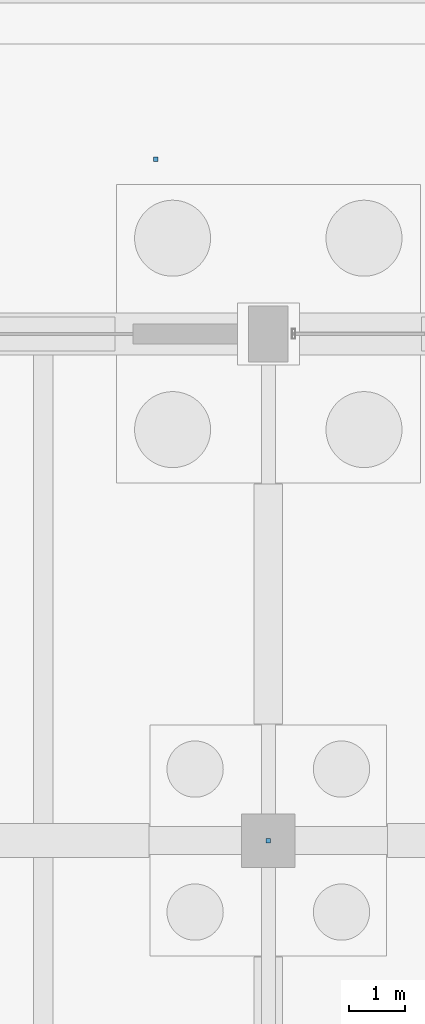
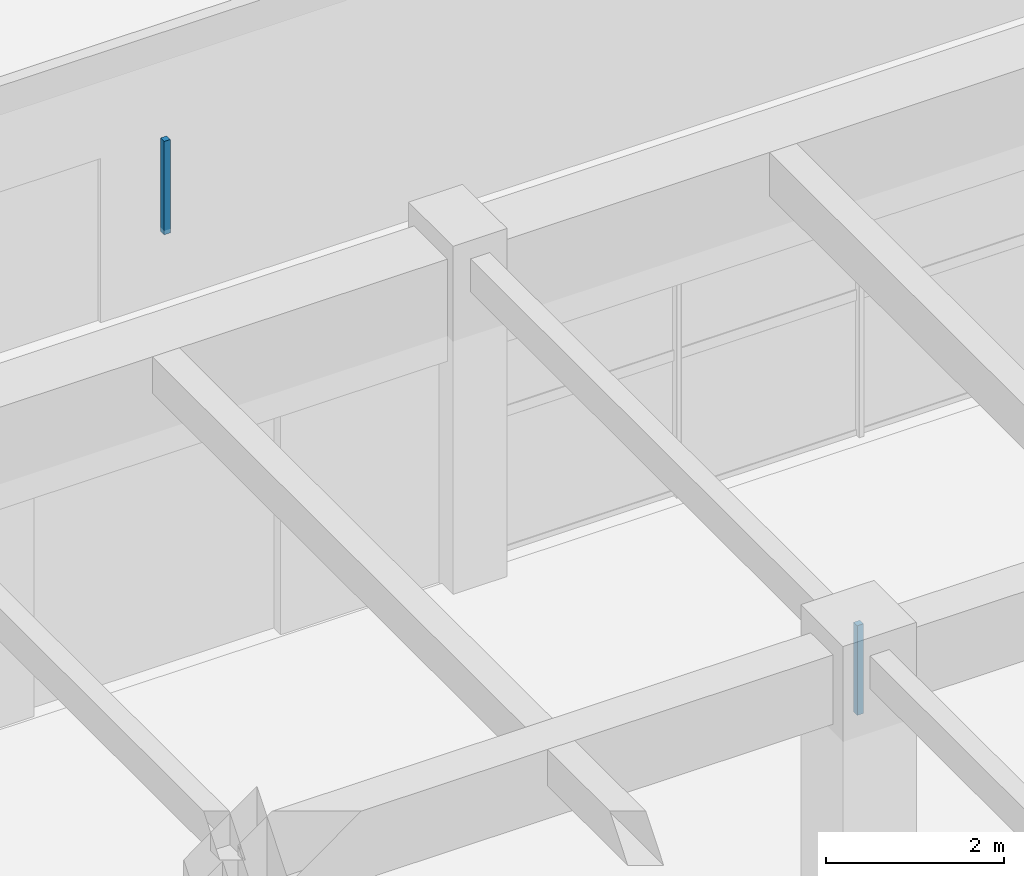
# One storey, part 124 of 147: 2 discrete accessories.
"""IFC4 building model written with IfcOpenShell, lengths in metres."""

from ifc_helpers import new_model, si_unit, direction, frame, origin, origin_2d, place, context, subcontext, project, spatial, rectangle, extrude, material, layer, layer_set, type_object, element, save


model = new_model("IFC4")

# Units and contexts
model_context = context("Model", 3, precision=1e-05, world=origin(), true_north=direction((0.0, 1.0)))
body_context = subcontext(model_context, "Body", "Model", "MODEL_VIEW")
ifc_project = project(units=[si_unit("LENGTHUNIT", "METRE"), si_unit("AREAUNIT", "SQUARE_METRE"), si_unit("VOLUMEUNIT", "CUBIC_METRE"), si_unit("PLANEANGLEUNIT", "RADIAN"), si_unit("MASSUNIT", "GRAM", prefix="KILO")], contexts=[model_context])

# Site, building, storey
site_placement = place(None, origin())
site = spatial("IfcSite", under=ifc_project, at=site_placement, CompositionType="ELEMENT")
building_placement = place(site_placement, origin())
building = spatial("IfcBuilding", under=site, at=building_placement, Name="Varnabhumi Central Station", CompositionType="ELEMENT")
storey_placement = place(building_placement, origin())
storey = spatial("IfcBuildingStorey", under=building, at=storey_placement, Name="L00", CompositionType="ELEMENT", Elevation=0.0)

# Discrete accessories
ifc_material = material(Name="Structural steel E350", Category="steel")
ifc_layer = layer(ifc_material, 0.159912109375, Name="Structural steel E350", Category="steel")
ifc_layer_set = layer_set([ifc_layer], Name="Structural steel E350")
discrete_accessory_type = type_object("IfcDiscreteAccessoryType", Name="ACC-SHADE-BRKT", PredefinedType="BRACKET", material=ifc_layer_set)
discrete_accessory_1_placement = place(storey_placement, frame((168.0, 27.0, 3.43994140625), z_axis=(0.0, 0.0, 1.0), x_axis=(1.0, 0.0, 0.0)))
element("IfcDiscreteAccessory", 1, at=discrete_accessory_1_placement, inside=storey, type_object=discrete_accessory_type, Name="Parcel Loading Bay and Dispatch Apron Ceiling Hanger", PredefinedType="BRACKET", context=body_context, shape_type="SweptSolid", body=[
    extrude(rectangle(XDim=0.080078125, YDim=0.080078125, at=origin_2d()), origin(), (0.0, 0.0, 1.0), 1.22998046875),
])
discrete_accessory_2_placement = place(storey_placement, frame((166.0, 39.10009765625, 3.39013671875), z_axis=(0.0, 0.0, 1.0), x_axis=(1.0, 0.0, 0.0)))
element("IfcDiscreteAccessory", 2, at=discrete_accessory_2_placement, inside=storey, type_object=discrete_accessory_type, Name="Platform 1 Seated Waiting Shelter Ceiling Hanger", PredefinedType="BRACKET", context=body_context, shape_type="SweptSolid", body=[
    extrude(rectangle(XDim=0.080078125, YDim=0.080078125, at=origin_2d()), origin(), (0.0, 0.0, 1.0), 1.280029296875),
])

save(model, "model.ifc")
